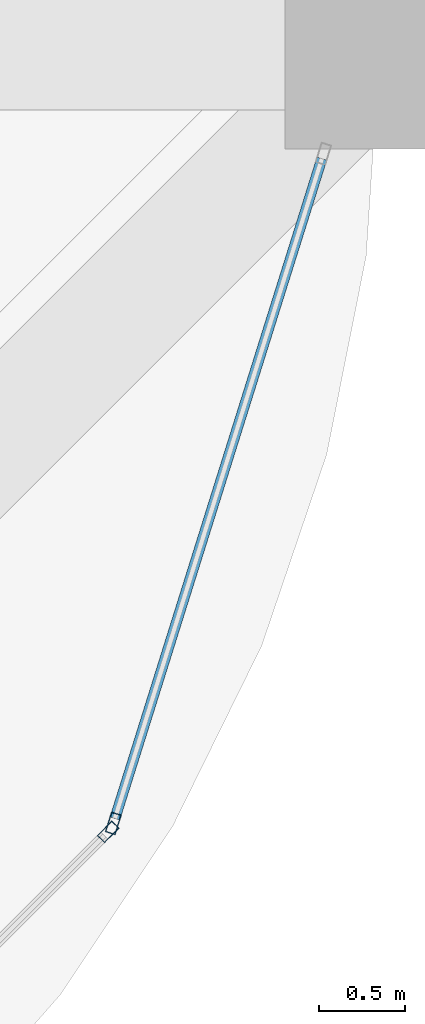
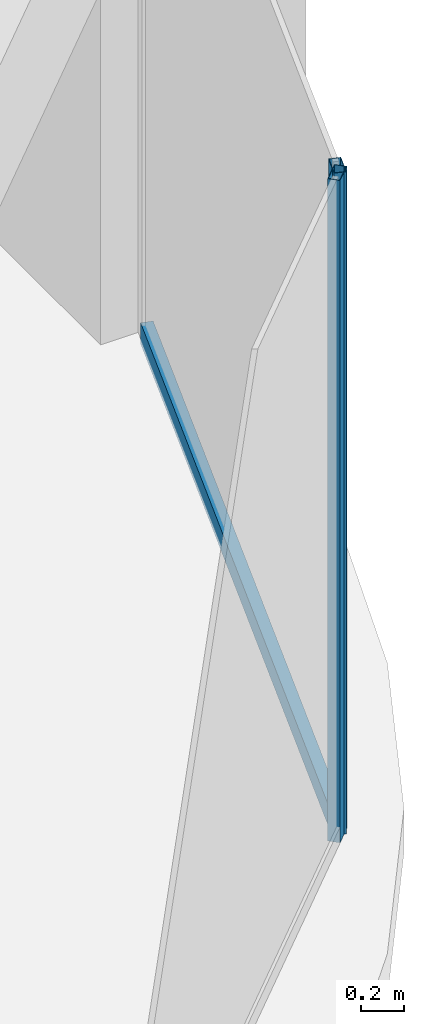
# One storey, part 20 of 44: 3 members, 2 elements without a shape of their own.
"""IFC4 building model written with IfcOpenShell, lengths in metres."""

import ifcopenshell
import ifcopenshell.guid

model = None  # the IFC model being written
_history = None  # IfcOwnerHistory: only IFC2X3 demands one
_inside = {}  # id of a spatial element -> (the spatial element, [elements in it])
_under = {}  # id of a project, library or spatial element -> (it, [spatial elements below it])
_declared = {}  # id of a project -> (the project, [libraries it declares])
_typed = {}  # id of a type object -> (the type object, [elements of that type])
_made_of = {}  # id of a material, layer set ... -> (it, [elements and type objects made of it])


def new_model(schema):
    """Start an empty IFC model of exactly this schema.

    Asked for "IFC4X3", IfcOpenShell would pick the latest addendum, in which some entities
    have other attributes; the version numbers below select the first issue.
    IFC2X3 requires an IfcOwnerHistory on every rooted entity: one is made here for all.
    """
    global model, _history
    if schema == "IFC4X3":
        model = ifcopenshell.file(schema_version=(4, 3, 0, 0))
    else:
        model = ifcopenshell.file(schema=schema)
    _inside.clear()
    _under.clear()
    _declared.clear()
    _typed.clear()
    _made_of.clear()
    _history = None
    if model.schema == "IFC2X3":
        org = make("IfcOrganization", Name="unknown")
        user = make(
            "IfcPersonAndOrganization",
            ThePerson=make("IfcPerson", FamilyName="unknown"),
            TheOrganization=org,
        )
        app = make(
            "IfcApplication",
            ApplicationDeveloper=org,
            Version="unknown",
            ApplicationFullName="unknown",
            ApplicationIdentifier="unknown",
        )
        _history = make(
            "IfcOwnerHistory",
            OwningUser=user,
            OwningApplication=app,
            ChangeAction="ADDED",
            CreationDate=0,
        )
    return model


def make(cls, **values):
    """One entity of the class cls with the attributes given. An attribute that is None is left unset."""
    return model.create_entity(
        cls, **{name: value for name, value in values.items() if value is not None}
    )


def rooted(cls, **values):
    """An entity with a GlobalId (a new one), such as an element, a storey or a relation."""
    return make(cls, GlobalId=ifcopenshell.guid.new(), OwnerHistory=_history, **values)


def si_unit(unit_type, name, prefix=None):
    """IfcSIUnit, for example si_unit("LENGTHUNIT", "METRE", prefix="MILLI")."""
    return make("IfcSIUnit", UnitType=unit_type, Prefix=prefix, Name=name)


def assignment(units):
    """IfcUnitAssignment: the units of a project."""
    return None if units is None else make("IfcUnitAssignment", Units=units)


def point(xyz):
    """IfcCartesianPoint."""
    return None if xyz is None else make("IfcCartesianPoint", Coordinates=xyz)


def direction(xyz):
    """IfcDirection."""
    return None if xyz is None else make("IfcDirection", DirectionRatios=xyz)


def frame(location, z_axis=None, x_axis=None):
    """IfcAxis2Placement3D, a coordinate frame: its origin and axes. An axis left out is left unset."""
    return make(
        "IfcAxis2Placement3D",
        Location=point(location),
        Axis=direction(z_axis),
        RefDirection=direction(x_axis),
    )


def frame_2d(location, x_axis=None):
    """IfcAxis2Placement2D, a coordinate frame in the plane: its origin and x axis."""
    return make(
        "IfcAxis2Placement2D", Location=point(location), RefDirection=direction(x_axis)
    )


def origin():
    """The frame at (0, 0, 0) with its axes left unset."""
    return frame((0.0, 0.0, 0.0))


def origin_2d():
    """The frame at (0, 0) in the plane with its x axis left unset."""
    return frame_2d((0.0, 0.0))


def place(relative_to, where):
    """IfcLocalPlacement: puts the frame where relative to a parent placement (None: the world)."""
    return make(
        "IfcLocalPlacement", PlacementRelTo=relative_to, RelativePlacement=where
    )


def context(
    kind, dimensions, precision=None, world=None, true_north=None, identifier=None
):
    """IfcGeometricRepresentationContext, for example the 3D "Model" context."""
    return make(
        "IfcGeometricRepresentationContext",
        ContextIdentifier=identifier,
        ContextType=kind,
        CoordinateSpaceDimension=dimensions,
        Precision=precision,
        WorldCoordinateSystem=world,
        TrueNorth=true_north,
    )


def subcontext(parent, identifier, kind, view, scale=None):
    """IfcGeometricRepresentationSubContext, for example "Body" below "Model"."""
    return make(
        "IfcGeometricRepresentationSubContext",
        ContextIdentifier=identifier,
        ContextType=kind,
        ParentContext=parent,
        TargetScale=scale,
        TargetView=view,
    )


def project(units=None, contexts=None):
    """IfcProject with its units and contexts."""
    return rooted(
        "IfcProject",
        Name="project",
        RepresentationContexts=contexts,
        UnitsInContext=assignment(units),
    )


def spatial(cls, under=None, at=None, **own):
    """A site, building, storey or space (cls), placed at a placement, below another one or the project."""
    s = rooted(cls, ObjectPlacement=at, **own)
    if under is not None:
        _under.setdefault(under.id(), (under, []))[1].append(s)
    return s


def profile(cls, at=None, kind="AREA", **sizes):
    """A parametric profile (cls). Its sizes go by their IFC names, for example OverallWidth=200.0."""
    return make(cls, ProfileType=kind, Position=at, **sizes)


def hollow_rectangle(**sizes):
    """IfcRectangleHollowProfileDef."""
    return profile("IfcRectangleHollowProfileDef", **sizes)


def extrude(swept, where, along, depth):
    """IfcExtrudedAreaSolid: the profile swept, set in the frame where, extruded along a direction by depth."""
    return make(
        "IfcExtrudedAreaSolid",
        SweptArea=swept,
        Position=where,
        ExtrudedDirection=direction(along),
        Depth=depth,
    )


def shape(context_of_items, identifier, shape_type, items):
    """IfcShapeRepresentation: the items that make up one representation, for example the "Body"."""
    return make(
        "IfcShapeRepresentation",
        ContextOfItems=context_of_items,
        RepresentationIdentifier=identifier,
        RepresentationType=shape_type,
        Items=items,
    )


def material(Name=None, Category=None):
    """IfcMaterial."""
    return make("IfcMaterial", Name=Name, Category=Category)


def material_profile(
    of_material, cross_section, Name=None, Category=None, Priority=None
):
    """IfcMaterialProfile: a cross section and its material."""
    return make(
        "IfcMaterialProfile",
        Name=Name,
        Material=of_material,
        Profile=cross_section,
        Priority=Priority,
        Category=Category,
    )


def profile_set(profiles, Name=None, composite=None):
    """IfcMaterialProfileSet."""
    return make(
        "IfcMaterialProfileSet",
        Name=Name,
        MaterialProfiles=profiles,
        CompositeProfile=composite,
    )


def made_of(thing, what):
    """Note that an element or type object is made of a material, layer set ...; save() writes the relation."""
    if what is not None:
        _made_of.setdefault(what.id(), (what, []))[1].append(thing)
    return thing


def type_object(cls, material=None, **own):
    """A type object (cls), such as IfcWallType, which elements share."""
    return made_of(rooted(cls, **own), material)


def element(
    cls,
    number,
    at=None,
    inside=None,
    cuts=None,
    type_object=None,
    material=None,
    context=None,
    identifier="Body",
    shape_type=None,
    held_by="IfcProductDefinitionShape",
    body=None,
    shapes=None,
    **own,
):
    """One element of the class cls, such as IfcWall. Its Tag is "e" and its number.

    at: its placement. inside: the storey or other place that contains it. cuts: it is an
    opening in that element (IfcRelVoidsElement). A single representation is given by context,
    identifier, shape_type and body (its items); several are given by shapes. held_by: the class
    of the entity that holds the representations. save() writes the other relations.
    """
    e = rooted(cls, Tag="e%d" % number, ObjectPlacement=at, **own)
    if body is not None:
        shapes = [shape(context, identifier, shape_type, body)]
    if shapes is not None:
        e.Representation = make(held_by, Representations=shapes)
    if inside is not None:
        _inside.setdefault(inside.id(), (inside, []))[1].append(e)
    if cuts is not None:
        rooted(
            "IfcRelVoidsElement", RelatingBuildingElement=cuts, RelatedOpeningElement=e
        )
    if type_object is not None:
        _typed.setdefault(type_object.id(), (type_object, []))[1].append(e)
    return made_of(e, material)


def aggregate(whole, parts):
    """IfcRelAggregates: a whole, such as a stair, and the parts it consists of."""
    return rooted("IfcRelAggregates", RelatingObject=whole, RelatedObjects=parts)


def save(model, path):
    """Write the relations noted so far, then the file.

    IfcRelAggregates (storeys below a building ...), IfcRelContainedInSpatialStructure (elements
    in a storey), IfcRelDefinesByType, IfcRelAssociatesMaterial and IfcRelDeclares: one each for
    every whole, place, type object, material and project.
    """
    for whole, parts in _under.values():
        aggregate(whole, parts)
    for where, things in _inside.values():
        rooted(
            "IfcRelContainedInSpatialStructure",
            RelatedElements=things,
            RelatingStructure=where,
        )
    for kind, things in _typed.values():
        rooted("IfcRelDefinesByType", RelatedObjects=things, RelatingType=kind)
    for what, things in _made_of.values():
        rooted("IfcRelAssociatesMaterial", RelatedObjects=things, RelatingMaterial=what)
    for by, libraries in _declared.values():
        rooted("IfcRelDeclares", RelatingContext=by, RelatedDefinitions=libraries)
    model.write(path)


model = new_model("IFC4")

# Units and contexts
model_context = context("Model", 3, precision=1e-05, world=origin(), true_north=direction((0.0, 1.0)))
body_context = subcontext(model_context, "Body", "Model", "MODEL_VIEW")
ifc_project = project(units=[si_unit("LENGTHUNIT", "METRE"), si_unit("AREAUNIT", "SQUARE_METRE"), si_unit("VOLUMEUNIT", "CUBIC_METRE"), si_unit("PLANEANGLEUNIT", "RADIAN"), si_unit("MASSUNIT", "GRAM", prefix="KILO")], contexts=[model_context])

# Site, building, storey
site_placement = place(None, origin())
site = spatial("IfcSite", under=ifc_project, at=site_placement, CompositionType="ELEMENT")
building_placement = place(site_placement, origin())
building = spatial("IfcBuilding", under=site, at=building_placement, Name="Zorevar Civic Tower", CompositionType="ELEMENT")
storey_placement = place(building_placement, frame((0.0, 0.0, 283.39990234375)))
storey = spatial("IfcBuildingStorey", under=building, at=storey_placement, Name="L69", CompositionType="ELEMENT", Elevation=283.39990234375)

# Curtain wall, member
ifc_material_1 = material(Name="Dark grey solar-control glass in black aluminium frame", Category="aluminium")
curtain_wall_type = type_object("IfcCurtainWallType", Name="Curtain wall CW5 top zone", PredefinedType="NOTDEFINED", material=ifc_material_1)
curtain_wall_1_placement = place(storey_placement, origin())
curtain_wall_1 = element("IfcCurtainWall", 1, at=curtain_wall_1_placement, inside=storey, type_object=curtain_wall_type, Name="CW5 L69", PredefinedType="NOTDEFINED")
ifc_material_2 = material(Name="Aluminium, black anodised", Category="aluminium")
ifc_material_profile_1 = material_profile(ifc_material_2, hollow_rectangle(XDim=0.06005859375, YDim=0.1201171875, WallThickness=0.0029296875, at=origin_2d()), Name="AL 120x60x3")
ifc_profile_set_1 = profile_set([ifc_material_profile_1], Name="Aluminium, black anodised")
member_type_1 = type_object("IfcMemberType", Name="CW5 mullion AL 120x60x3", PredefinedType="MULLION", material=ifc_profile_set_1)
member_1_placement = place(storey_placement, frame((52.419677734375, 4.470947265625, 0.0), z_axis=(0.0, 0.0, 1.0), x_axis=(-0.707106781187, 0.707106781187, 0.0)))
member_1 = element("IfcMember", 2, at=member_1_placement, type_object=member_type_1, Name="CW5 mullion 2", PredefinedType="MULLION", context=body_context, shape_type="SweptSolid", body=[
    extrude(hollow_rectangle(XDim=0.06005859375, YDim=0.1201171875, WallThickness=0.0029296875, at=origin_2d()), origin(), (0.0, 0.0, 1.0), 3.75),
])
aggregate(curtain_wall_1, [member_1])

# Curtain wall, members
curtain_wall_2_placement = place(storey_placement, origin())
curtain_wall_2 = element("IfcCurtainWall", 3, at=curtain_wall_2_placement, inside=storey, type_object=curtain_wall_type, Name="CW5 L69", PredefinedType="NOTDEFINED")
member_2_placement = place(storey_placement, frame((52.449951171875, 4.520751953125, 0.0), z_axis=(0.0, 0.0, 1.0), x_axis=(-0.954153437674, 0.299317920238, 0.0)))
member_2 = element("IfcMember", 4, at=member_2_placement, type_object=member_type_1, Name="CW5 mullion 1", PredefinedType="MULLION", context=body_context, shape_type="SweptSolid", body=[
    extrude(hollow_rectangle(XDim=0.06005859375, YDim=0.1201171875, WallThickness=0.0029296875, at=origin_2d()), origin(), (0.0, 0.0, 1.0), 3.75),
])
ifc_material_3 = material(Name="Aluminium, black anodised", Category="aluminium")
ifc_material_profile_2 = material_profile(ifc_material_3, hollow_rectangle(XDim=0.06005859375, YDim=0.1201171875, WallThickness=0.0029296875, at=origin_2d()), Name="AL 120x60x3")
ifc_profile_set_2 = profile_set([ifc_material_profile_2], Name="Aluminium, black anodised")
member_type_2 = type_object("IfcMemberType", Name="CW5 transom AL 120x60x3", PredefinedType="USERDEFINED", material=ifc_profile_set_2)
member_3_placement = place(storey_placement, frame((52.458984375, 4.54931640625, 0.030029296875), z_axis=(0.299285978047, 0.954163457351, 0.0), x_axis=(-0.954163457351, 0.299285978047, 0.0)))
member_3 = element("IfcMember", 5, at=member_3_placement, type_object=member_type_2, Name="CW5 sill transom", ObjectType="TRANSOM", PredefinedType="USERDEFINED", context=body_context, shape_type="SweptSolid", body=[
    extrude(hollow_rectangle(XDim=0.06005859375, YDim=0.1201171875, WallThickness=0.0029296875, at=origin_2d()), origin(), (0.0, 0.0, 1.0), 4.028076171875),
])
aggregate(curtain_wall_2, [member_2, member_3])

save(model, "model.ifc")
